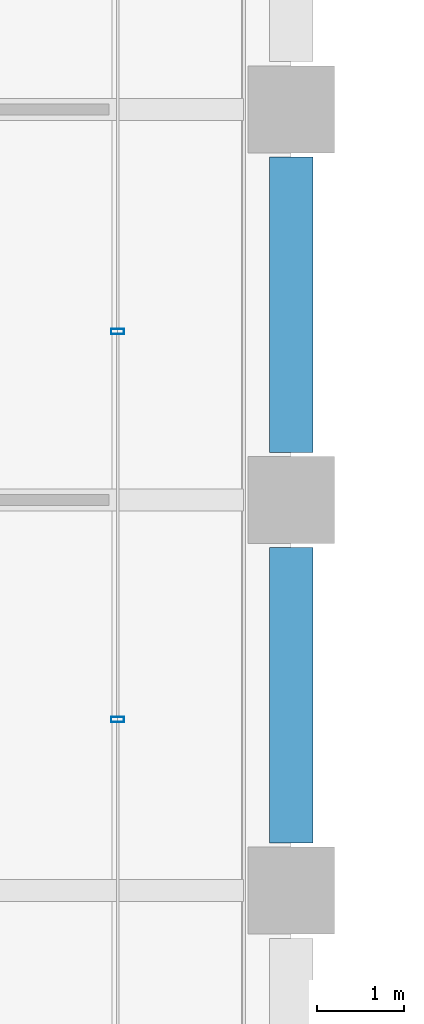
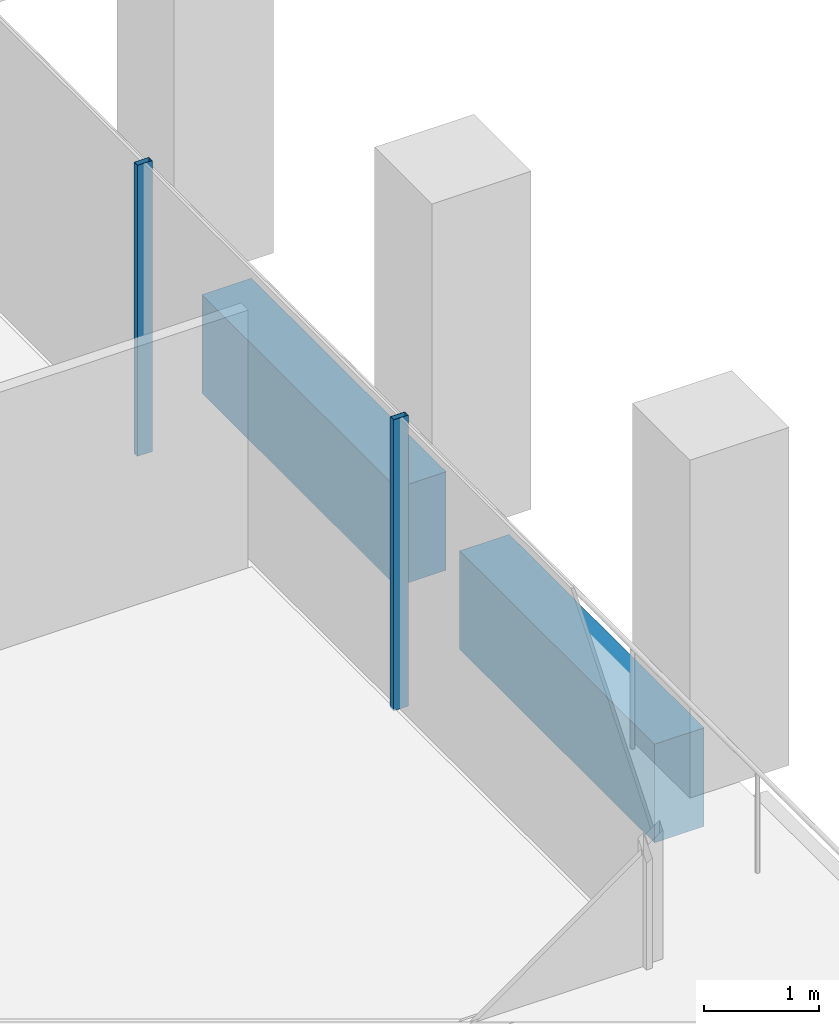
# One storey, part 15 of 52: 2 beams, 2 members, 1 element without a shape of its own.
"""IFC4 building model written with IfcOpenShell, lengths in metres."""

from ifc_helpers import new_model, si_unit, direction, frame, origin, origin_2d, place, context, subcontext, project, spatial, rectangle, hollow_rectangle, extrude, material, material_profile, profile_set, type_object, element, aggregate, save


model = new_model("IFC4")

# Units and contexts
model_context = context("Model", 3, precision=1e-05, world=origin(), true_north=direction((0.0, 1.0)))
body_context = subcontext(model_context, "Body", "Model", "MODEL_VIEW")
ifc_project = project(units=[si_unit("LENGTHUNIT", "METRE"), si_unit("AREAUNIT", "SQUARE_METRE"), si_unit("VOLUMEUNIT", "CUBIC_METRE"), si_unit("PLANEANGLEUNIT", "RADIAN"), si_unit("MASSUNIT", "GRAM", prefix="KILO")], contexts=[model_context])

# Site, building, storey
site_placement = place(None, origin())
site = spatial("IfcSite", under=ifc_project, at=site_placement, CompositionType="ELEMENT")
building_placement = place(site_placement, origin())
building = spatial("IfcBuilding", under=site, at=building_placement, Name="Altepetl Exchange Towers", CompositionType="ELEMENT")
storey_placement = place(building_placement, frame((0.0, 0.0, 92.0)))
storey = spatial("IfcBuildingStorey", under=building, at=storey_placement, Name="L22", CompositionType="ELEMENT", Elevation=92.0)

# Curtain wall, members
ifc_material_1 = material(Name="Aluminium 6063-T6 glazing", Category="aluminium")
curtain_wall_type = type_object("IfcCurtainWallType", Name="Loggia glazing system", PredefinedType="NOTDEFINED", material=ifc_material_1)
curtain_wall_placement = place(storey_placement, origin())
curtain_wall = element("IfcCurtainWall", 1, at=curtain_wall_placement, inside=storey, type_object=curtain_wall_type, Name="CW1 run", PredefinedType="NOTDEFINED")
ifc_material_2 = material(Name="Aluminium 6063-T6", Category="aluminium")
ifc_material_profile_1 = material_profile(ifc_material_2, hollow_rectangle(XDim=0.06005859375, YDim=0.14990234375, WallThickness=0.0029296875, at=origin_2d()), Name="Mullion 60x150 aluminium")
ifc_profile_set_1 = profile_set([ifc_material_profile_1], Name="Aluminium 6063-T6")
member_type = type_object("IfcMemberType", Name="Mullion 60x150 aluminium", PredefinedType="MULLION", material=ifc_profile_set_1)
member_1_placement = place(storey_placement, frame((70.0, 37.970947265625, 0.0), z_axis=(0.0, 0.0, 1.0), x_axis=(0.0, 1.0, 0.0)))
member_1 = element("IfcMember", 2, at=member_1_placement, type_object=member_type, Name="MU1 mullion", PredefinedType="MULLION", context=body_context, shape_type="SweptSolid", body=[
    extrude(hollow_rectangle(XDim=0.06005859375, YDim=0.14990234375, WallThickness=0.0029296875, at=origin_2d()), origin(), (0.0, 0.0, 1.0), 3.10009765625),
])
member_2_placement = place(storey_placement, frame((70.0, 42.44189453125, 0.0), z_axis=(0.0, 0.0, 1.0), x_axis=(0.0, 1.0, 0.0)))
member_2 = element("IfcMember", 3, at=member_2_placement, type_object=member_type, Name="MU1 mullion", PredefinedType="MULLION", context=body_context, shape_type="SweptSolid", body=[
    extrude(hollow_rectangle(XDim=0.06005859375, YDim=0.14990234375, WallThickness=0.0029296875, at=origin_2d()), origin(), (0.0, 0.0, 1.0), 3.10009765625),
])
aggregate(curtain_wall, [member_1, member_2])

# Beams
ifc_material_3 = material(Name="Concrete C50/60 precast with cantera amarilla facing", Category="concrete")
ifc_material_profile_2 = material_profile(ifc_material_3, rectangle(XDim=0.5, YDim=1.050048828125, at=origin_2d()), Name="500 x 1050")
ifc_profile_set_2 = profile_set([ifc_material_profile_2], Name="Concrete C50/60 precast with cantera amarilla facing")
beam_type = type_object("IfcBeamType", Name="Spandrel beam 500x1050 cantera amarilla", PredefinedType="SPANDREL", material=ifc_profile_set_2)
for number, where, z_axis, x_axis, name in (
    (4, (72.0, 36.550048828125, -0.675048828125), (0.0, 1.0, 0.0), (-1.0, 0.0, 0.0), "sp:A:L22:013"),
    (5, (72.0, 41.050048828125, -0.675048828125), (0.0, 1.0, 0.0), (-1.0, 0.0, 0.0), "sp:A:L22:014"),
):
    element("IfcBeam", number, at=place(storey_placement, frame(where, z_axis=z_axis, x_axis=x_axis)), inside=storey, type_object=beam_type, Name=name, PredefinedType="SPANDREL", context=body_context, shape_type="SweptSolid", body=[
        extrude(rectangle(XDim=0.5, YDim=1.050048828125, at=origin_2d()), origin(), (0.0, 0.0, 1.0), 3.39990234375),
    ])

save(model, "model.ifc")
